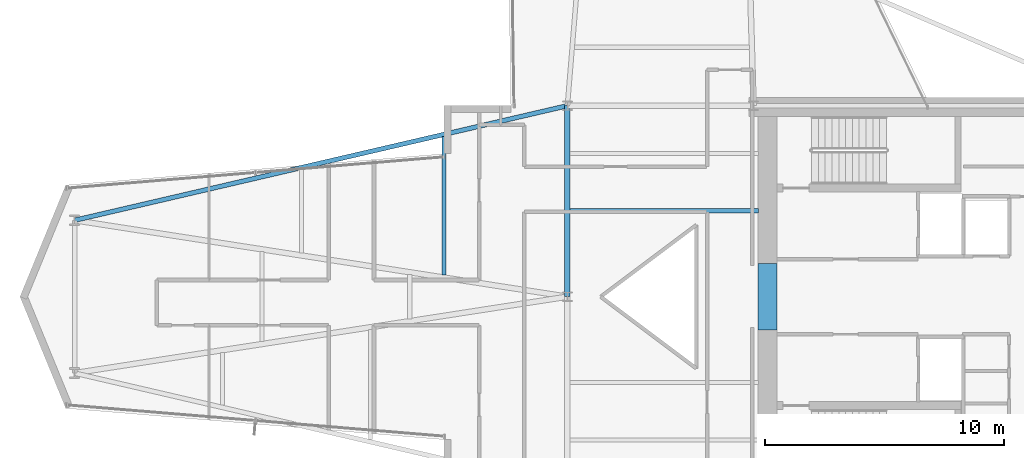
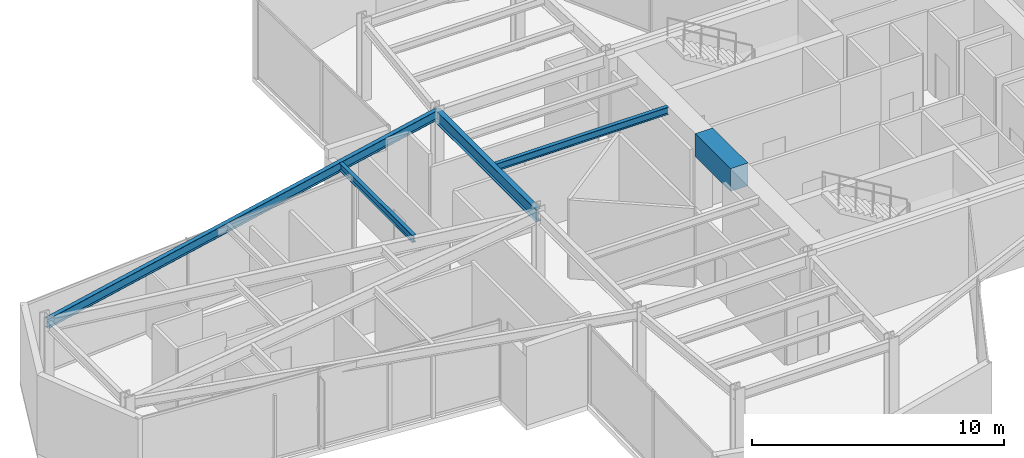
# One storey, part 9 of 25: 5 beams.
"""IFC4 building model written with IfcOpenShell, lengths in metres."""

from ifc_helpers import new_model, si_unit, direction, frame, origin, origin_2d, place, context, subcontext, project, spatial, rectangle, i_section, extrude, material, material_profile, profile_set, type_object, element, save


model = new_model("IFC4")

# Units and contexts
model_context = context("Model", 3, precision=1e-05, world=origin(), true_north=direction((0.0, 1.0)))
body_context = subcontext(model_context, "Body", "Model", "MODEL_VIEW")
ifc_project = project(units=[si_unit("LENGTHUNIT", "METRE"), si_unit("AREAUNIT", "SQUARE_METRE"), si_unit("VOLUMEUNIT", "CUBIC_METRE"), si_unit("PLANEANGLEUNIT", "RADIAN"), si_unit("MASSUNIT", "GRAM", prefix="KILO")], contexts=[model_context])

# Site, building, storey
site_placement = place(None, origin())
site = spatial("IfcSite", under=ifc_project, at=site_placement, CompositionType="ELEMENT")
building_placement = place(site_placement, origin())
building = spatial("IfcBuilding", under=site, at=building_placement, Name="Veymaron Broadcast Tower", CompositionType="ELEMENT")
storey_placement = place(building_placement, frame((0.0, 0.0, 120.89990234375)))
storey = spatial("IfcBuildingStorey", under=building, at=storey_placement, Name="L27", CompositionType="ELEMENT", Elevation=120.89990234375)

# Beams
ifc_material_1 = material(Name="Concrete C70/85", Category="concrete")
ifc_material_profile_1 = material_profile(ifc_material_1, rectangle(XDim=0.800048828125, YDim=1.10009765625, at=origin_2d()), Name="RC800X1100")
ifc_profile_set_1 = profile_set([ifc_material_profile_1], Name="Concrete C70/85")
beam_type_1 = type_object("IfcBeamType", Name="BM-CB1", PredefinedType="LINTEL", material=ifc_profile_set_1)
beam_1_placement = place(storey_placement, frame((39.580078125, 22.60009765625, 3.260009765625), z_axis=(0.0, 1.0, 0.0), x_axis=(-1.0, 0.0, 0.0)))
element("IfcBeam", 1, at=beam_1_placement, inside=storey, type_object=beam_type_1, Name="L27 Core Wall west coupling beam", PredefinedType="LINTEL", context=body_context, shape_type="SweptSolid", body=[
    extrude(rectangle(XDim=0.800048828125, YDim=1.10009765625, at=origin_2d()), origin(), (0.0, 0.0, 1.0), 2.7998046875),
])
ifc_material_2 = material(Name="Structural steel ASTM A992 Gr 50", Category="steel")
ifc_material_profile_2 = material_profile(ifc_material_2, i_section(OverallWidth=0.22802734375, OverallDepth=0.60791015625, WebThickness=0.01123046875, FlangeThickness=0.017333984375, at=origin_2d()), Name="W610X113")
ifc_profile_set_2 = profile_set([ifc_material_profile_2], Name="Structural steel ASTM A992 Gr 50")
beam_type_2 = type_object("IfcBeamType", Name="BM-FG2", PredefinedType="BEAM", material=ifc_profile_set_2)
beam_2_placement = place(storey_placement, frame((31.199951171875, 24.0, 3.506103515625), z_axis=(0.0, 1.0, 0.0), x_axis=(-1.0, 0.0, 0.0)))
element("IfcBeam", 2, at=beam_2_placement, inside=storey, type_object=beam_type_2, Name="L27 primary structural floor girder", PredefinedType="BEAM", context=body_context, shape_type="SweptSolid", body=[
    extrude(i_section(OverallWidth=0.22802734375, OverallDepth=0.60791015625, WebThickness=0.01123046875, FlangeThickness=0.017333984375, at=origin_2d()), origin(), (0.0, 0.0, 1.0), 8.0),
])
ifc_material_profile_3 = material_profile(ifc_material_2, i_section(OverallWidth=0.1708984375, OverallDepth=0.35498046875, WebThickness=0.007080078125, FlangeThickness=0.01171875, at=origin_2d()), Name="W360X51")
ifc_profile_set_3 = profile_set([ifc_material_profile_3], Name="Structural steel ASTM A992 Gr 50")
beam_type_3 = type_object("IfcBeamType", Name="BM-JS2", PredefinedType="JOIST", material=ifc_profile_set_3)
beam_3_placement = place(storey_placement, frame((26.0400390625, 24.89990234375, 3.632568359375), z_axis=(0.0, 1.0, 0.0), x_axis=(-1.0, 0.0, 0.0)))
element("IfcBeam", 3, at=beam_3_placement, inside=storey, type_object=beam_type_3, Name="L27 Arm-A secondary joist 2N", PredefinedType="JOIST", context=body_context, shape_type="SweptSolid", body=[
    extrude(i_section(OverallWidth=0.1708984375, OverallDepth=0.35498046875, WebThickness=0.007080078125, FlangeThickness=0.01171875, at=origin_2d()), origin(), (0.0, 0.0, 1.0), 5.800048828125),
])
beam_4_placement = place(storey_placement, frame((31.300048828125, 27.60009765625, 3.632568359375), z_axis=(1.0, 0.0, 0.0), x_axis=(0.0, 1.0, 0.0)))
element("IfcBeam", 4, at=beam_4_placement, inside=storey, type_object=beam_type_3, Name="L27 Hub secondary joist 3", PredefinedType="JOIST", context=body_context, shape_type="SweptSolid", body=[
    extrude(i_section(OverallWidth=0.1708984375, OverallDepth=0.35498046875, WebThickness=0.007080078125, FlangeThickness=0.01171875, at=origin_2d()), origin(), (0.0, 0.0, 1.0), 7.89990234375),
])
ifc_material_profile_4 = material_profile(ifc_material_2, i_section(OverallWidth=0.19091796875, OverallDepth=0.4599609375, WebThickness=0.010009765625, FlangeThickness=0.01611328125, at=origin_2d()), Name="W460X82")
ifc_profile_set_4 = profile_set([ifc_material_profile_4], Name="Structural steel ASTM A992 Gr 50")
beam_type_4 = type_object("IfcBeamType", Name="BM-SP1", PredefinedType="SPANDREL", material=ifc_profile_set_4)
beam_5_placement = place(storey_placement, frame((10.56005859375, 27.199951171875, 3.580078125), z_axis=(0.974007258565, 0.226516799075, 0.0), x_axis=(-0.226516799075, 0.974007258565, 0.0)))
element("IfcBeam", 5, at=beam_5_placement, inside=storey, type_object=beam_type_4, Name="L27 primary structural floor girder", PredefinedType="SPANDREL", context=body_context, shape_type="SweptSolid", body=[
    extrude(i_section(OverallWidth=0.19091796875, OverallDepth=0.4599609375, WebThickness=0.010009765625, FlangeThickness=0.01611328125, at=origin_2d()), origin(), (0.0, 0.0, 1.0), 21.190673828125),
])

save(model, "model.ifc")
